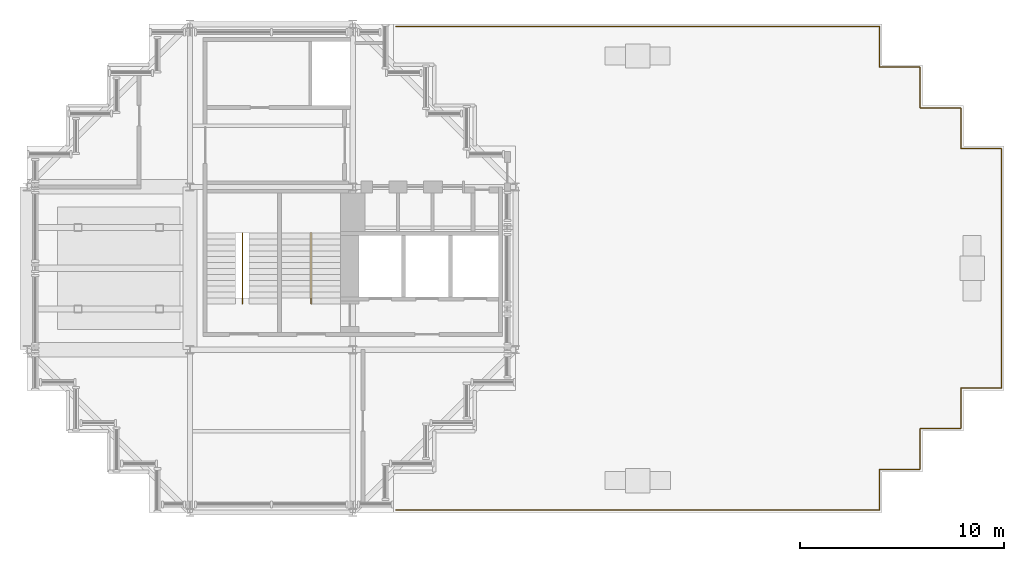
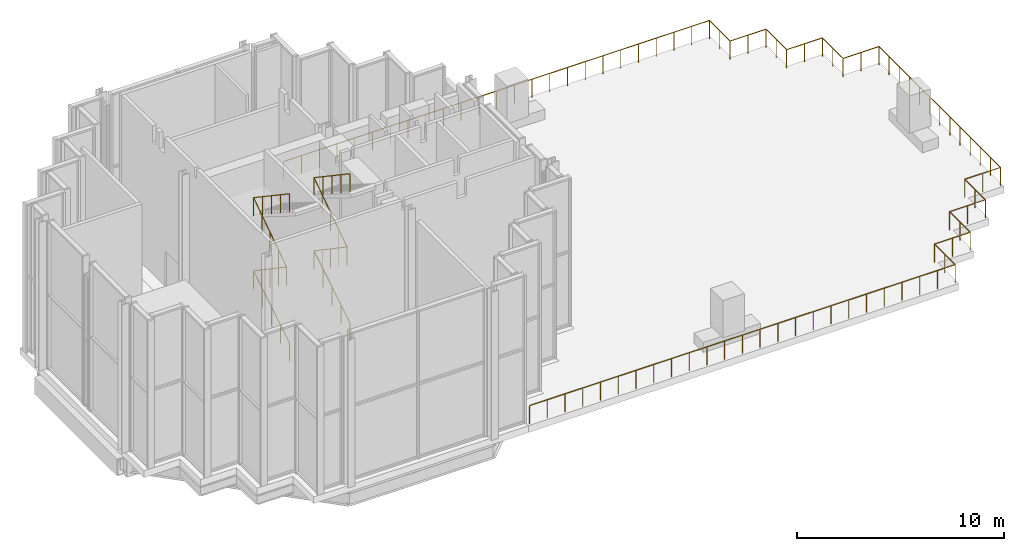
# One storey, part 14 of 15: 3 railings.
"""IFC4 building model written with IfcOpenShell, lengths in metres."""

from ifc_helpers import new_model, si_unit, direction, frame, origin, origin_2d, place, context, subcontext, project, spatial, circle, extrude, material, type_object, element, save


model = new_model("IFC4")

# Units and contexts
model_context = context("Model", 3, precision=1e-05, world=origin(), true_north=direction((0.0, 1.0)))
body_context = subcontext(model_context, "Body", "Model", "MODEL_VIEW")
ifc_project = project(units=[si_unit("LENGTHUNIT", "METRE"), si_unit("AREAUNIT", "SQUARE_METRE"), si_unit("VOLUMEUNIT", "CUBIC_METRE"), si_unit("PLANEANGLEUNIT", "RADIAN"), si_unit("MASSUNIT", "GRAM", prefix="KILO")], contexts=[model_context])

# Site, building, storey
site_placement = place(None, origin())
site = spatial("IfcSite", under=ifc_project, at=site_placement, CompositionType="ELEMENT")
building_placement = place(site_placement, origin())
building = spatial("IfcBuilding", under=site, at=building_placement, Name="Immortelle Media Tower", CompositionType="ELEMENT")
storey_placement = place(building_placement, frame((0.0, 0.0, 299.0)))
storey = spatial("IfcBuildingStorey", under=building, at=storey_placement, Name="L66", CompositionType="ELEMENT", Elevation=299.0)

# Railings
ifc_material_1 = material(Name="Stainless steel AISI 316", Category="steel")
railing_type_1 = type_object("IfcRailingType", Name="Stair guard 1100", PredefinedType="GUARDRAIL", material=ifc_material_1)
railing_1_placement = place(storey_placement, frame((10.574951171875, 10.25, 0.179931640625)))
element("IfcRailing", 1, at=railing_1_placement, inside=storey, type_object=railing_type_1, Name="Stair guard SW1", PredefinedType="GUARDRAIL", context=body_context, shape_type="SweptSolid", body=[
    extrude(circle(Radius=0.02392578125, at=origin_2d()), frame((0.0, 0.0, 1.076171875), z_axis=(0.0, 0.849621746706, 0.527392536471), x_axis=(-1.0, 0.0, 0.0)), (0.0, 0.0, 1.0), 4.095947265625),
    extrude(circle(Radius=0.02392578125, at=origin_2d()), frame((0.0, 3.47998046875, 3.236328125), z_axis=(0.0, -0.828041123984, 0.56066736751), x_axis=(1.0, 0.0, 0.0)), (0.0, 0.0, 1.0), 3.852294921875),
    extrude(circle(Radius=0.02392578125, at=origin_2d()), frame((0.0, 0.2900390625, 5.39599609375), z_axis=(0.0, 0.828041123984, 0.56066736751), x_axis=(-1.0, 0.0, 0.0)), (0.0, 0.0, 1.0), 3.852294921875),
    extrude(circle(Radius=0.02392578125, at=origin_2d()), frame((0.0, 3.47998046875, 7.55615234375), z_axis=(0.0, -0.829831414294, 0.558014178898), x_axis=(1.0, 0.0, 0.0)), (0.0, 0.0, 1.0), 4.193603515625),
    extrude(circle(Radius=0.02099609375, at=origin_2d()), origin(), (0.0, 0.0, 1.0), 1.052001953125),
    extrude(circle(Radius=0.02099609375, at=origin_2d()), frame((0.0, 0.8701171875, 0.5400390625)), (0.0, 0.0, 1.0), 1.052001953125),
    extrude(circle(Radius=0.02099609375, at=origin_2d()), frame((0.0, 1.739990234375, 1.080078125)), (0.0, 0.0, 1.0), 1.052001953125),
    extrude(circle(Radius=0.02099609375, at=origin_2d()), frame((0.0, 2.60986328125, 1.6201171875)), (0.0, 0.0, 1.0), 1.052001953125),
    extrude(circle(Radius=0.02099609375, at=origin_2d()), frame((0.0, 3.47998046875, 2.16015625)), (0.0, 0.0, 1.0), 1.052001953125),
    extrude(circle(Radius=0.02099609375, at=origin_2d()), frame((0.0, 2.6826171875, 2.7001953125)), (0.0, 0.0, 1.0), 1.052001953125),
    extrude(circle(Radius=0.02099609375, at=origin_2d()), frame((0.0, 1.885009765625, 3.240234375)), (0.0, 0.0, 1.0), 1.052001953125),
    extrude(circle(Radius=0.02099609375, at=origin_2d()), frame((0.0, 1.08740234375, 3.780029296875)), (0.0, 0.0, 1.0), 1.052001953125),
    extrude(circle(Radius=0.02099609375, at=origin_2d()), frame((0.0, 0.2900390625, 4.320068359375)), (0.0, 0.0, 1.0), 1.052001953125),
    extrude(circle(Radius=0.02099609375, at=origin_2d()), frame((0.0, 1.08740234375, 4.860107421875)), (0.0, 0.0, 1.0), 1.052001953125),
    extrude(circle(Radius=0.02099609375, at=origin_2d()), frame((0.0, 1.885009765625, 5.39990234375)), (0.0, 0.0, 1.0), 1.052001953125),
    extrude(circle(Radius=0.02099609375, at=origin_2d()), frame((0.0, 2.6826171875, 5.93994140625)), (0.0, 0.0, 1.0), 1.052001953125),
    extrude(circle(Radius=0.02099609375, at=origin_2d()), frame((0.0, 3.47998046875, 6.47998046875)), (0.0, 0.0, 1.0), 1.052001953125),
    extrude(circle(Radius=0.02099609375, at=origin_2d()), frame((0.0, 2.60986328125, 7.06494140625)), (0.0, 0.0, 1.0), 1.052001953125),
    extrude(circle(Radius=0.02099609375, at=origin_2d()), frame((0.0, 1.739990234375, 7.64990234375)), (0.0, 0.0, 1.0), 1.052001953125),
    extrude(circle(Radius=0.02099609375, at=origin_2d()), frame((0.0, 0.8701171875, 8.235107421875)), (0.0, 0.0, 1.0), 1.052001953125),
    extrude(circle(Radius=0.02099609375, at=origin_2d()), frame((0.0, 0.0, 8.820068359375)), (0.0, 0.0, 1.0), 1.052001953125),
])
railing_2_placement = place(storey_placement, frame((13.949951171875, 10.25, 0.179931640625)))
element("IfcRailing", 2, at=railing_2_placement, inside=storey, type_object=railing_type_1, Name="Stair guard SW2", PredefinedType="GUARDRAIL", context=body_context, shape_type="SweptSolid", body=[
    extrude(circle(Radius=0.02392578125, at=origin_2d()), frame((0.0, 0.0, 1.076171875), z_axis=(0.0, 0.849621746706, 0.527392536471), x_axis=(-1.0, 0.0, 0.0)), (0.0, 0.0, 1.0), 4.095947265625),
    extrude(circle(Radius=0.02392578125, at=origin_2d()), frame((0.0, 3.47998046875, 3.236328125), z_axis=(0.0, -0.828041123984, 0.56066736751), x_axis=(1.0, 0.0, 0.0)), (0.0, 0.0, 1.0), 3.852294921875),
    extrude(circle(Radius=0.02392578125, at=origin_2d()), frame((0.0, 0.2900390625, 5.39599609375), z_axis=(0.0, 0.828041123984, 0.56066736751), x_axis=(-1.0, 0.0, 0.0)), (0.0, 0.0, 1.0), 3.852294921875),
    extrude(circle(Radius=0.02392578125, at=origin_2d()), frame((0.0, 3.47998046875, 7.55615234375), z_axis=(0.0, -0.829831414294, 0.558014178898), x_axis=(1.0, 0.0, 0.0)), (0.0, 0.0, 1.0), 4.193603515625),
    extrude(circle(Radius=0.02099609375, at=origin_2d()), origin(), (0.0, 0.0, 1.0), 1.052001953125),
    extrude(circle(Radius=0.02099609375, at=origin_2d()), frame((0.0, 0.8701171875, 0.5400390625)), (0.0, 0.0, 1.0), 1.052001953125),
    extrude(circle(Radius=0.02099609375, at=origin_2d()), frame((0.0, 1.739990234375, 1.080078125)), (0.0, 0.0, 1.0), 1.052001953125),
    extrude(circle(Radius=0.02099609375, at=origin_2d()), frame((0.0, 2.60986328125, 1.6201171875)), (0.0, 0.0, 1.0), 1.052001953125),
    extrude(circle(Radius=0.02099609375, at=origin_2d()), frame((0.0, 3.47998046875, 2.16015625)), (0.0, 0.0, 1.0), 1.052001953125),
    extrude(circle(Radius=0.02099609375, at=origin_2d()), frame((0.0, 2.6826171875, 2.7001953125)), (0.0, 0.0, 1.0), 1.052001953125),
    extrude(circle(Radius=0.02099609375, at=origin_2d()), frame((0.0, 1.885009765625, 3.240234375)), (0.0, 0.0, 1.0), 1.052001953125),
    extrude(circle(Radius=0.02099609375, at=origin_2d()), frame((0.0, 1.08740234375, 3.780029296875)), (0.0, 0.0, 1.0), 1.052001953125),
    extrude(circle(Radius=0.02099609375, at=origin_2d()), frame((0.0, 0.2900390625, 4.320068359375)), (0.0, 0.0, 1.0), 1.052001953125),
    extrude(circle(Radius=0.02099609375, at=origin_2d()), frame((0.0, 1.08740234375, 4.860107421875)), (0.0, 0.0, 1.0), 1.052001953125),
    extrude(circle(Radius=0.02099609375, at=origin_2d()), frame((0.0, 1.885009765625, 5.39990234375)), (0.0, 0.0, 1.0), 1.052001953125),
    extrude(circle(Radius=0.02099609375, at=origin_2d()), frame((0.0, 2.6826171875, 5.93994140625)), (0.0, 0.0, 1.0), 1.052001953125),
    extrude(circle(Radius=0.02099609375, at=origin_2d()), frame((0.0, 3.47998046875, 6.47998046875)), (0.0, 0.0, 1.0), 1.052001953125),
    extrude(circle(Radius=0.02099609375, at=origin_2d()), frame((0.0, 2.60986328125, 7.06494140625)), (0.0, 0.0, 1.0), 1.052001953125),
    extrude(circle(Radius=0.02099609375, at=origin_2d()), frame((0.0, 1.739990234375, 7.64990234375)), (0.0, 0.0, 1.0), 1.052001953125),
    extrude(circle(Radius=0.02099609375, at=origin_2d()), frame((0.0, 0.8701171875, 8.235107421875)), (0.0, 0.0, 1.0), 1.052001953125),
    extrude(circle(Radius=0.02099609375, at=origin_2d()), frame((0.0, 0.0, 8.820068359375)), (0.0, 0.0, 1.0), 1.052001953125),
])
ifc_material_2 = material(Name="Stainless steel AISI 316 fretwork rail", Category="steel")
railing_type_2 = type_object("IfcRailingType", Name="Terrace guard 1100", PredefinedType="GUARDRAIL", material=ifc_material_2)
railing_3_placement = place(storey_placement, frame((18.1201171875, 23.8798828125, 0.0)))
element("IfcRailing", 3, at=railing_3_placement, inside=storey, type_object=railing_type_2, Name="Terrace guard L66 SE0-0", PredefinedType="GUARDRAIL", context=body_context, shape_type="SweptSolid", body=[
    extrude(circle(Radius=0.02490234375, at=origin_2d()), frame((0.0, 0.0, 1.0751953125), z_axis=(1.0, 0.0, 0.0), x_axis=(0.0, 1.0, 0.0)), (0.0, 0.0, 1.0), 23.759765625),
    extrude(circle(Radius=0.02490234375, at=origin_2d()), frame((23.759765625, 0.0, 1.0751953125), z_axis=(0.0, -1.0, 0.0), x_axis=(1.0, 0.0, 0.0)), (0.0, 0.0, 1.0), 2.0),
    extrude(circle(Radius=0.02490234375, at=origin_2d()), frame((23.759765625, -2.0, 1.0751953125), z_axis=(1.0, 0.0, 0.0), x_axis=(0.0, 1.0, 0.0)), (0.0, 0.0, 1.0), 2.0),
    extrude(circle(Radius=0.02490234375, at=origin_2d()), frame((25.759765625, -2.0, 1.0751953125), z_axis=(0.0, -1.0, 0.0), x_axis=(1.0, 0.0, 0.0)), (0.0, 0.0, 1.0), 2.0),
    extrude(circle(Radius=0.02490234375, at=origin_2d()), frame((25.759765625, -4.0, 1.0751953125), z_axis=(1.0, 0.0, 0.0), x_axis=(0.0, 1.0, 0.0)), (0.0, 0.0, 1.0), 2.0),
    extrude(circle(Radius=0.02490234375, at=origin_2d()), frame((27.759765625, -4.0, 1.0751953125), z_axis=(0.0, -1.0, 0.0), x_axis=(1.0, 0.0, 0.0)), (0.0, 0.0, 1.0), 2.0),
    extrude(circle(Radius=0.02490234375, at=origin_2d()), frame((27.759765625, -6.0, 1.0751953125), z_axis=(1.0, 0.0, 0.0), x_axis=(0.0, 1.0, 0.0)), (0.0, 0.0, 1.0), 2.0),
    extrude(circle(Radius=0.02490234375, at=origin_2d()), frame((29.759765625, -6.0, 1.0751953125), z_axis=(0.0, -1.0, 0.0), x_axis=(1.0, 0.0, 0.0)), (0.0, 0.0, 1.0), 11.759765625),
    extrude(circle(Radius=0.02490234375, at=origin_2d()), frame((29.759765625, -17.759765625, 1.0751953125), z_axis=(-1.0, 0.0, 0.0), x_axis=(0.0, -1.0, 0.0)), (0.0, 0.0, 1.0), 2.0),
    extrude(circle(Radius=0.02490234375, at=origin_2d()), frame((27.759765625, -17.759765625, 1.0751953125), z_axis=(0.0, -1.0, 0.0), x_axis=(1.0, 0.0, 0.0)), (0.0, 0.0, 1.0), 2.0),
    extrude(circle(Radius=0.02490234375, at=origin_2d()), frame((27.759765625, -19.759765625, 1.0751953125), z_axis=(-1.0, 0.0, 0.0), x_axis=(0.0, -1.0, 0.0)), (0.0, 0.0, 1.0), 2.0),
    extrude(circle(Radius=0.02490234375, at=origin_2d()), frame((25.759765625, -19.759765625, 1.0751953125), z_axis=(0.0, -1.0, 0.0), x_axis=(1.0, 0.0, 0.0)), (0.0, 0.0, 1.0), 2.0),
    extrude(circle(Radius=0.02490234375, at=origin_2d()), frame((25.759765625, -21.759765625, 1.0751953125), z_axis=(-1.0, 0.0, 0.0), x_axis=(0.0, -1.0, 0.0)), (0.0, 0.0, 1.0), 2.0),
    extrude(circle(Radius=0.02490234375, at=origin_2d()), frame((23.759765625, -21.759765625, 1.0751953125), z_axis=(0.0, -1.0, 0.0), x_axis=(1.0, 0.0, 0.0)), (0.0, 0.0, 1.0), 2.0),
    extrude(circle(Radius=0.02490234375, at=origin_2d()), frame((23.759765625, -23.759765625, 1.0751953125), z_axis=(-1.0, 0.0, 0.0), x_axis=(0.0, -1.0, 0.0)), (0.0, 0.0, 1.0), 23.7578125),
    extrude(circle(Radius=0.02001953125, at=origin_2d()), origin(), (0.0, 0.0, 1.0), 1.050048828125),
    extrude(circle(Radius=0.02001953125, at=origin_2d()), frame((0.989990234375, 0.0, 0.0)), (0.0, 0.0, 1.0), 1.050048828125),
    extrude(circle(Radius=0.02001953125, at=origin_2d()), frame((1.97998046875, 0.0, 0.0)), (0.0, 0.0, 1.0), 1.050048828125),
    extrude(circle(Radius=0.02001953125, at=origin_2d()), frame((2.969970703125, 0.0, 0.0)), (0.0, 0.0, 1.0), 1.050048828125),
    extrude(circle(Radius=0.02001953125, at=origin_2d()), frame((3.9599609375, 0.0, 0.0)), (0.0, 0.0, 1.0), 1.050048828125),
    extrude(circle(Radius=0.02001953125, at=origin_2d()), frame((4.949951171875, 0.0, 0.0)), (0.0, 0.0, 1.0), 1.050048828125),
    extrude(circle(Radius=0.02001953125, at=origin_2d()), frame((5.93994140625, 0.0, 0.0)), (0.0, 0.0, 1.0), 1.050048828125),
    extrude(circle(Radius=0.02001953125, at=origin_2d()), frame((6.929931640625, 0.0, 0.0)), (0.0, 0.0, 1.0), 1.050048828125),
    extrude(circle(Radius=0.02001953125, at=origin_2d()), frame((7.919921875, 0.0, 0.0)), (0.0, 0.0, 1.0), 1.050048828125),
    extrude(circle(Radius=0.02001953125, at=origin_2d()), frame((8.909912109375, 0.0, 0.0)), (0.0, 0.0, 1.0), 1.050048828125),
    extrude(circle(Radius=0.02001953125, at=origin_2d()), frame((9.89990234375, 0.0, 0.0)), (0.0, 0.0, 1.0), 1.050048828125),
    extrude(circle(Radius=0.02001953125, at=origin_2d()), frame((10.889892578125, 0.0, 0.0)), (0.0, 0.0, 1.0), 1.050048828125),
    extrude(circle(Radius=0.02001953125, at=origin_2d()), frame((11.8798828125, 0.0, 0.0)), (0.0, 0.0, 1.0), 1.050048828125),
    extrude(circle(Radius=0.02001953125, at=origin_2d()), frame((12.869873046875, 0.0, 0.0)), (0.0, 0.0, 1.0), 1.050048828125),
    extrude(circle(Radius=0.02001953125, at=origin_2d()), frame((13.85986328125, 0.0, 0.0)), (0.0, 0.0, 1.0), 1.050048828125),
    extrude(circle(Radius=0.02001953125, at=origin_2d()), frame((14.849853515625, 0.0, 0.0)), (0.0, 0.0, 1.0), 1.050048828125),
    extrude(circle(Radius=0.02001953125, at=origin_2d()), frame((15.83984375, 0.0, 0.0)), (0.0, 0.0, 1.0), 1.050048828125),
    extrude(circle(Radius=0.02001953125, at=origin_2d()), frame((16.829833984375, 0.0, 0.0)), (0.0, 0.0, 1.0), 1.050048828125),
    extrude(circle(Radius=0.02001953125, at=origin_2d()), frame((17.81982421875, 0.0, 0.0)), (0.0, 0.0, 1.0), 1.050048828125),
    extrude(circle(Radius=0.02001953125, at=origin_2d()), frame((18.809814453125, 0.0, 0.0)), (0.0, 0.0, 1.0), 1.050048828125),
    extrude(circle(Radius=0.02001953125, at=origin_2d()), frame((19.7998046875, 0.0, 0.0)), (0.0, 0.0, 1.0), 1.050048828125),
    extrude(circle(Radius=0.02001953125, at=origin_2d()), frame((20.789794921875, 0.0, 0.0)), (0.0, 0.0, 1.0), 1.050048828125),
    extrude(circle(Radius=0.02001953125, at=origin_2d()), frame((21.77978515625, 0.0, 0.0)), (0.0, 0.0, 1.0), 1.050048828125),
    extrude(circle(Radius=0.02001953125, at=origin_2d()), frame((22.769775390625, 0.0, 0.0)), (0.0, 0.0, 1.0), 1.050048828125),
    extrude(circle(Radius=0.02001953125, at=origin_2d()), frame((23.759765625, 0.0, 0.0)), (0.0, 0.0, 1.0), 1.050048828125),
    extrude(circle(Radius=0.02001953125, at=origin_2d()), frame((23.759765625, -1.0, 0.0)), (0.0, 0.0, 1.0), 1.050048828125),
    extrude(circle(Radius=0.02001953125, at=origin_2d()), frame((23.759765625, -2.0, 0.0)), (0.0, 0.0, 1.0), 1.050048828125),
    extrude(circle(Radius=0.02001953125, at=origin_2d()), frame((24.759765625, -2.0, 0.0)), (0.0, 0.0, 1.0), 1.050048828125),
    extrude(circle(Radius=0.02001953125, at=origin_2d()), frame((25.759765625, -2.0, 0.0)), (0.0, 0.0, 1.0), 1.050048828125),
    extrude(circle(Radius=0.02001953125, at=origin_2d()), frame((25.759765625, -3.0, 0.0)), (0.0, 0.0, 1.0), 1.050048828125),
    extrude(circle(Radius=0.02001953125, at=origin_2d()), frame((25.759765625, -4.0, 0.0)), (0.0, 0.0, 1.0), 1.050048828125),
    extrude(circle(Radius=0.02001953125, at=origin_2d()), frame((26.759765625, -4.0, 0.0)), (0.0, 0.0, 1.0), 1.050048828125),
    extrude(circle(Radius=0.02001953125, at=origin_2d()), frame((27.759765625, -4.0, 0.0)), (0.0, 0.0, 1.0), 1.050048828125),
    extrude(circle(Radius=0.02001953125, at=origin_2d()), frame((27.759765625, -5.0, 0.0)), (0.0, 0.0, 1.0), 1.050048828125),
    extrude(circle(Radius=0.02001953125, at=origin_2d()), frame((27.759765625, -6.0, 0.0)), (0.0, 0.0, 1.0), 1.050048828125),
    extrude(circle(Radius=0.02001953125, at=origin_2d()), frame((28.759765625, -6.0, 0.0)), (0.0, 0.0, 1.0), 1.050048828125),
    extrude(circle(Radius=0.02001953125, at=origin_2d()), frame((29.759765625, -6.0, 0.0)), (0.0, 0.0, 1.0), 1.050048828125),
    extrude(circle(Radius=0.02001953125, at=origin_2d()), frame((29.759765625, -6.97998046875, 0.0)), (0.0, 0.0, 1.0), 1.050048828125),
    extrude(circle(Radius=0.02001953125, at=origin_2d()), frame((29.759765625, -7.9599609375, 0.0)), (0.0, 0.0, 1.0), 1.050048828125),
    extrude(circle(Radius=0.02001953125, at=origin_2d()), frame((29.759765625, -8.93994140625, 0.0)), (0.0, 0.0, 1.0), 1.050048828125),
    extrude(circle(Radius=0.02001953125, at=origin_2d()), frame((29.759765625, -9.919921875, 0.0)), (0.0, 0.0, 1.0), 1.050048828125),
    extrude(circle(Radius=0.02001953125, at=origin_2d()), frame((29.759765625, -10.89990234375, 0.0)), (0.0, 0.0, 1.0), 1.050048828125),
    extrude(circle(Radius=0.02001953125, at=origin_2d()), frame((29.759765625, -11.8798828125, 0.0)), (0.0, 0.0, 1.0), 1.050048828125),
    extrude(circle(Radius=0.02001953125, at=origin_2d()), frame((29.759765625, -12.85986328125, 0.0)), (0.0, 0.0, 1.0), 1.050048828125),
    extrude(circle(Radius=0.02001953125, at=origin_2d()), frame((29.759765625, -13.83984375, 0.0)), (0.0, 0.0, 1.0), 1.050048828125),
    extrude(circle(Radius=0.02001953125, at=origin_2d()), frame((29.759765625, -14.81982421875, 0.0)), (0.0, 0.0, 1.0), 1.050048828125),
    extrude(circle(Radius=0.02001953125, at=origin_2d()), frame((29.759765625, -15.7998046875, 0.0)), (0.0, 0.0, 1.0), 1.050048828125),
    extrude(circle(Radius=0.02001953125, at=origin_2d()), frame((29.759765625, -16.77978515625, 0.0)), (0.0, 0.0, 1.0), 1.050048828125),
    extrude(circle(Radius=0.02001953125, at=origin_2d()), frame((29.759765625, -17.759765625, 0.0)), (0.0, 0.0, 1.0), 1.050048828125),
    extrude(circle(Radius=0.02001953125, at=origin_2d()), frame((28.759765625, -17.759765625, 0.0)), (0.0, 0.0, 1.0), 1.050048828125),
    extrude(circle(Radius=0.02001953125, at=origin_2d()), frame((27.759765625, -17.759765625, 0.0)), (0.0, 0.0, 1.0), 1.050048828125),
    extrude(circle(Radius=0.02001953125, at=origin_2d()), frame((27.759765625, -18.759765625, 0.0)), (0.0, 0.0, 1.0), 1.050048828125),
    extrude(circle(Radius=0.02001953125, at=origin_2d()), frame((27.759765625, -19.759765625, 0.0)), (0.0, 0.0, 1.0), 1.050048828125),
    extrude(circle(Radius=0.02001953125, at=origin_2d()), frame((26.759765625, -19.759765625, 0.0)), (0.0, 0.0, 1.0), 1.050048828125),
    extrude(circle(Radius=0.02001953125, at=origin_2d()), frame((25.759765625, -19.759765625, 0.0)), (0.0, 0.0, 1.0), 1.050048828125),
    extrude(circle(Radius=0.02001953125, at=origin_2d()), frame((25.759765625, -20.759765625, 0.0)), (0.0, 0.0, 1.0), 1.050048828125),
    extrude(circle(Radius=0.02001953125, at=origin_2d()), frame((25.759765625, -21.759765625, 0.0)), (0.0, 0.0, 1.0), 1.050048828125),
    extrude(circle(Radius=0.02001953125, at=origin_2d()), frame((24.759765625, -21.759765625, 0.0)), (0.0, 0.0, 1.0), 1.050048828125),
    extrude(circle(Radius=0.02001953125, at=origin_2d()), frame((23.759765625, -21.759765625, 0.0)), (0.0, 0.0, 1.0), 1.050048828125),
    extrude(circle(Radius=0.02001953125, at=origin_2d()), frame((23.759765625, -22.759765625, 0.0)), (0.0, 0.0, 1.0), 1.050048828125),
    extrude(circle(Radius=0.02001953125, at=origin_2d()), frame((23.759765625, -23.759765625, 0.0)), (0.0, 0.0, 1.0), 1.050048828125),
    extrude(circle(Radius=0.02001953125, at=origin_2d()), frame((22.769775390625, -23.759765625, 0.0)), (0.0, 0.0, 1.0), 1.050048828125),
    extrude(circle(Radius=0.02001953125, at=origin_2d()), frame((21.780029296875, -23.759765625, 0.0)), (0.0, 0.0, 1.0), 1.050048828125),
    extrude(circle(Radius=0.02001953125, at=origin_2d()), frame((20.7900390625, -23.759765625, 0.0)), (0.0, 0.0, 1.0), 1.050048828125),
    extrude(circle(Radius=0.02001953125, at=origin_2d()), frame((19.800048828125, -23.759765625, 0.0)), (0.0, 0.0, 1.0), 1.050048828125),
    extrude(circle(Radius=0.02001953125, at=origin_2d()), frame((18.810302734375, -23.759765625, 0.0)), (0.0, 0.0, 1.0), 1.050048828125),
    extrude(circle(Radius=0.02001953125, at=origin_2d()), frame((17.8203125, -23.759765625, 0.0)), (0.0, 0.0, 1.0), 1.050048828125),
    extrude(circle(Radius=0.02001953125, at=origin_2d()), frame((16.830322265625, -23.759765625, 0.0)), (0.0, 0.0, 1.0), 1.050048828125),
    extrude(circle(Radius=0.02001953125, at=origin_2d()), frame((15.840576171875, -23.759765625, 0.0)), (0.0, 0.0, 1.0), 1.050048828125),
    extrude(circle(Radius=0.02001953125, at=origin_2d()), frame((14.8505859375, -23.759765625, 0.0)), (0.0, 0.0, 1.0), 1.050048828125),
    extrude(circle(Radius=0.02001953125, at=origin_2d()), frame((13.860595703125, -23.759765625, 0.0)), (0.0, 0.0, 1.0), 1.050048828125),
    extrude(circle(Radius=0.02001953125, at=origin_2d()), frame((12.870849609375, -23.759765625, 0.0)), (0.0, 0.0, 1.0), 1.050048828125),
    extrude(circle(Radius=0.02001953125, at=origin_2d()), frame((11.880859375, -23.759765625, 0.0)), (0.0, 0.0, 1.0), 1.050048828125),
    extrude(circle(Radius=0.02001953125, at=origin_2d()), frame((10.890869140625, -23.759765625, 0.0)), (0.0, 0.0, 1.0), 1.050048828125),
    extrude(circle(Radius=0.02001953125, at=origin_2d()), frame((9.901123046875, -23.759765625, 0.0)), (0.0, 0.0, 1.0), 1.050048828125),
    extrude(circle(Radius=0.02001953125, at=origin_2d()), frame((8.9111328125, -23.759765625, 0.0)), (0.0, 0.0, 1.0), 1.050048828125),
    extrude(circle(Radius=0.02001953125, at=origin_2d()), frame((7.921142578125, -23.759765625, 0.0)), (0.0, 0.0, 1.0), 1.050048828125),
    extrude(circle(Radius=0.02001953125, at=origin_2d()), frame((6.931396484375, -23.759765625, 0.0)), (0.0, 0.0, 1.0), 1.050048828125),
    extrude(circle(Radius=0.02001953125, at=origin_2d()), frame((5.94140625, -23.759765625, 0.0)), (0.0, 0.0, 1.0), 1.050048828125),
    extrude(circle(Radius=0.02001953125, at=origin_2d()), frame((4.951416015625, -23.759765625, 0.0)), (0.0, 0.0, 1.0), 1.050048828125),
    extrude(circle(Radius=0.02001953125, at=origin_2d()), frame((3.961669921875, -23.759765625, 0.0)), (0.0, 0.0, 1.0), 1.050048828125),
    extrude(circle(Radius=0.02001953125, at=origin_2d()), frame((2.9716796875, -23.759765625, 0.0)), (0.0, 0.0, 1.0), 1.050048828125),
    extrude(circle(Radius=0.02001953125, at=origin_2d()), frame((1.981689453125, -23.759765625, 0.0)), (0.0, 0.0, 1.0), 1.050048828125),
    extrude(circle(Radius=0.02001953125, at=origin_2d()), frame((0.991943359375, -23.759765625, 0.0)), (0.0, 0.0, 1.0), 1.050048828125),
    extrude(circle(Radius=0.02001953125, at=origin_2d()), frame((0.001953125, -23.759765625, 0.0)), (0.0, 0.0, 1.0), 1.050048828125),
])

save(model, "model.ifc")
